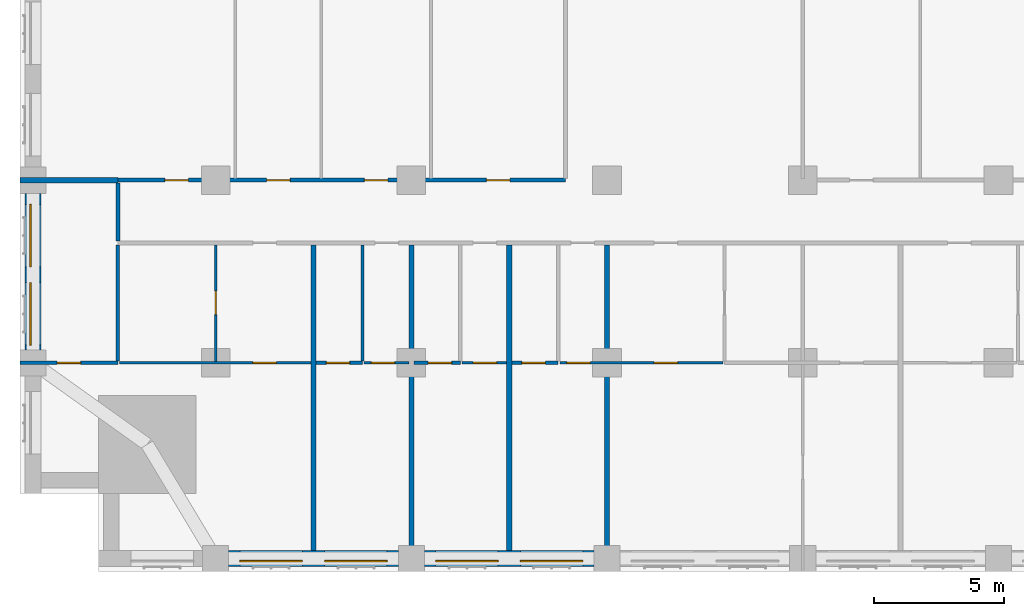
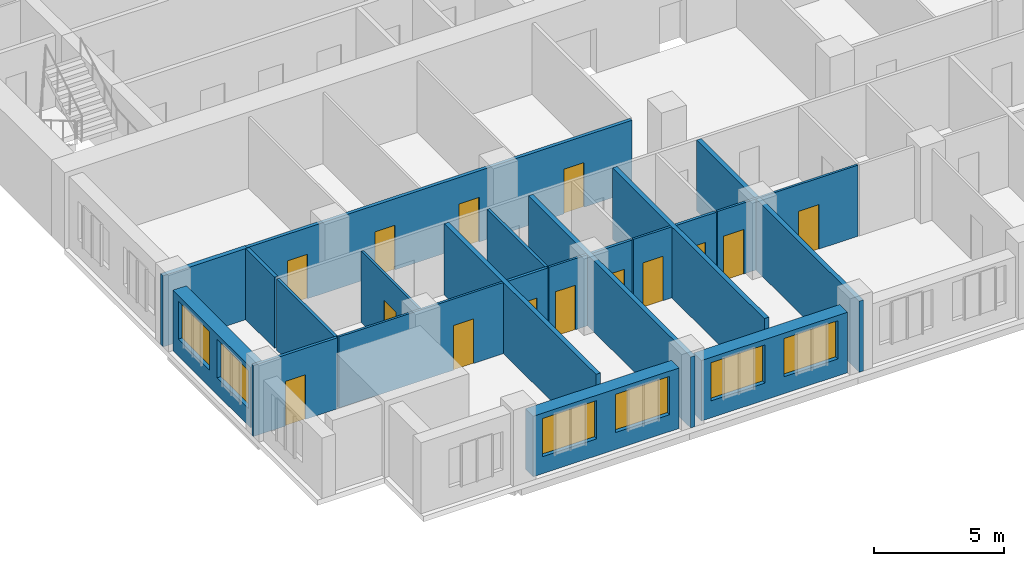
# One storey, part 4 of 15: 21 walls, 14 doors, 6 windows, 20 openings.
"""IFC4 building model written with IfcOpenShell, lengths in metres."""

import ifcopenshell
import ifcopenshell.guid

model = None  # the IFC model being written
_history = None  # IfcOwnerHistory: only IFC2X3 demands one
_inside = {}  # id of a spatial element -> (the spatial element, [elements in it])
_under = {}  # id of a project, library or spatial element -> (it, [spatial elements below it])
_declared = {}  # id of a project -> (the project, [libraries it declares])
_typed = {}  # id of a type object -> (the type object, [elements of that type])
_made_of = {}  # id of a material, layer set ... -> (it, [elements and type objects made of it])


def new_model(schema):
    """Start an empty IFC model of exactly this schema.

    Asked for "IFC4X3", IfcOpenShell would pick the latest addendum, in which some entities
    have other attributes; the version numbers below select the first issue.
    IFC2X3 requires an IfcOwnerHistory on every rooted entity: one is made here for all.
    """
    global model, _history
    if schema == "IFC4X3":
        model = ifcopenshell.file(schema_version=(4, 3, 0, 0))
    else:
        model = ifcopenshell.file(schema=schema)
    _inside.clear()
    _under.clear()
    _declared.clear()
    _typed.clear()
    _made_of.clear()
    _history = None
    if model.schema == "IFC2X3":
        org = make("IfcOrganization", Name="unknown")
        user = make(
            "IfcPersonAndOrganization",
            ThePerson=make("IfcPerson", FamilyName="unknown"),
            TheOrganization=org,
        )
        app = make(
            "IfcApplication",
            ApplicationDeveloper=org,
            Version="unknown",
            ApplicationFullName="unknown",
            ApplicationIdentifier="unknown",
        )
        _history = make(
            "IfcOwnerHistory",
            OwningUser=user,
            OwningApplication=app,
            ChangeAction="ADDED",
            CreationDate=0,
        )
    return model


def make(cls, **values):
    """One entity of the class cls with the attributes given. An attribute that is None is left unset."""
    return model.create_entity(
        cls, **{name: value for name, value in values.items() if value is not None}
    )


def rooted(cls, **values):
    """An entity with a GlobalId (a new one), such as an element, a storey or a relation."""
    return make(cls, GlobalId=ifcopenshell.guid.new(), OwnerHistory=_history, **values)


def si_unit(unit_type, name, prefix=None):
    """IfcSIUnit, for example si_unit("LENGTHUNIT", "METRE", prefix="MILLI")."""
    return make("IfcSIUnit", UnitType=unit_type, Prefix=prefix, Name=name)


def assignment(units):
    """IfcUnitAssignment: the units of a project."""
    return None if units is None else make("IfcUnitAssignment", Units=units)


def point(xyz):
    """IfcCartesianPoint."""
    return None if xyz is None else make("IfcCartesianPoint", Coordinates=xyz)


def direction(xyz):
    """IfcDirection."""
    return None if xyz is None else make("IfcDirection", DirectionRatios=xyz)


def frame(location, z_axis=None, x_axis=None):
    """IfcAxis2Placement3D, a coordinate frame: its origin and axes. An axis left out is left unset."""
    return make(
        "IfcAxis2Placement3D",
        Location=point(location),
        Axis=direction(z_axis),
        RefDirection=direction(x_axis),
    )


def frame_2d(location, x_axis=None):
    """IfcAxis2Placement2D, a coordinate frame in the plane: its origin and x axis."""
    return make(
        "IfcAxis2Placement2D", Location=point(location), RefDirection=direction(x_axis)
    )


def origin():
    """The frame at (0, 0, 0) with its axes left unset."""
    return frame((0.0, 0.0, 0.0))


def place(relative_to, where):
    """IfcLocalPlacement: puts the frame where relative to a parent placement (None: the world)."""
    return make(
        "IfcLocalPlacement", PlacementRelTo=relative_to, RelativePlacement=where
    )


def context(
    kind, dimensions, precision=None, world=None, true_north=None, identifier=None
):
    """IfcGeometricRepresentationContext, for example the 3D "Model" context."""
    return make(
        "IfcGeometricRepresentationContext",
        ContextIdentifier=identifier,
        ContextType=kind,
        CoordinateSpaceDimension=dimensions,
        Precision=precision,
        WorldCoordinateSystem=world,
        TrueNorth=true_north,
    )


def subcontext(parent, identifier, kind, view, scale=None):
    """IfcGeometricRepresentationSubContext, for example "Body" below "Model"."""
    return make(
        "IfcGeometricRepresentationSubContext",
        ContextIdentifier=identifier,
        ContextType=kind,
        ParentContext=parent,
        TargetScale=scale,
        TargetView=view,
    )


def project(units=None, contexts=None):
    """IfcProject with its units and contexts."""
    return rooted(
        "IfcProject",
        Name="project",
        RepresentationContexts=contexts,
        UnitsInContext=assignment(units),
    )


def spatial(cls, under=None, at=None, **own):
    """A site, building, storey or space (cls), placed at a placement, below another one or the project."""
    s = rooted(cls, ObjectPlacement=at, **own)
    if under is not None:
        _under.setdefault(under.id(), (under, []))[1].append(s)
    return s


def profile(cls, at=None, kind="AREA", **sizes):
    """A parametric profile (cls). Its sizes go by their IFC names, for example OverallWidth=200.0."""
    return make(cls, ProfileType=kind, Position=at, **sizes)


def rectangle(**sizes):
    """IfcRectangleProfileDef."""
    return profile("IfcRectangleProfileDef", **sizes)


def extrude(swept, where, along, depth):
    """IfcExtrudedAreaSolid: the profile swept, set in the frame where, extruded along a direction by depth."""
    return make(
        "IfcExtrudedAreaSolid",
        SweptArea=swept,
        Position=where,
        ExtrudedDirection=direction(along),
        Depth=depth,
    )


def shape(context_of_items, identifier, shape_type, items):
    """IfcShapeRepresentation: the items that make up one representation, for example the "Body"."""
    return make(
        "IfcShapeRepresentation",
        ContextOfItems=context_of_items,
        RepresentationIdentifier=identifier,
        RepresentationType=shape_type,
        Items=items,
    )


def material(Name=None, Category=None):
    """IfcMaterial."""
    return make("IfcMaterial", Name=Name, Category=Category)


def layer(
    of_material, thickness, ventilated=None, Name=None, Category=None, Priority=None
):
    """IfcMaterialLayer: one layer of a wall or slab, of a material (None: an air gap)."""
    return make(
        "IfcMaterialLayer",
        Material=of_material,
        LayerThickness=thickness,
        IsVentilated=ventilated,
        Name=Name,
        Category=Category,
        Priority=Priority,
    )


def layer_set(layers, Name=None):
    """IfcMaterialLayerSet."""
    return make("IfcMaterialLayerSet", MaterialLayers=layers, LayerSetName=Name)


def made_of(thing, what):
    """Note that an element or type object is made of a material, layer set ...; save() writes the relation."""
    if what is not None:
        _made_of.setdefault(what.id(), (what, []))[1].append(thing)
    return thing


def type_object(cls, material=None, **own):
    """A type object (cls), such as IfcWallType, which elements share."""
    return made_of(rooted(cls, **own), material)


def element(
    cls,
    number,
    at=None,
    inside=None,
    cuts=None,
    type_object=None,
    material=None,
    context=None,
    identifier="Body",
    shape_type=None,
    held_by="IfcProductDefinitionShape",
    body=None,
    shapes=None,
    **own,
):
    """One element of the class cls, such as IfcWall. Its Tag is "e" and its number.

    at: its placement. inside: the storey or other place that contains it. cuts: it is an
    opening in that element (IfcRelVoidsElement). A single representation is given by context,
    identifier, shape_type and body (its items); several are given by shapes. held_by: the class
    of the entity that holds the representations. save() writes the other relations.
    """
    e = rooted(cls, Tag="e%d" % number, ObjectPlacement=at, **own)
    if body is not None:
        shapes = [shape(context, identifier, shape_type, body)]
    if shapes is not None:
        e.Representation = make(held_by, Representations=shapes)
    if inside is not None:
        _inside.setdefault(inside.id(), (inside, []))[1].append(e)
    if cuts is not None:
        rooted(
            "IfcRelVoidsElement", RelatingBuildingElement=cuts, RelatedOpeningElement=e
        )
    if type_object is not None:
        _typed.setdefault(type_object.id(), (type_object, []))[1].append(e)
    return made_of(e, material)


def fill(opening, filler):
    """IfcRelFillsElement: the door or window that sits in an opening."""
    return rooted(
        "IfcRelFillsElement",
        RelatingOpeningElement=opening,
        RelatedBuildingElement=filler,
    )


def aggregate(whole, parts):
    """IfcRelAggregates: a whole, such as a stair, and the parts it consists of."""
    return rooted("IfcRelAggregates", RelatingObject=whole, RelatedObjects=parts)


def save(model, path):
    """Write the relations noted so far, then the file.

    IfcRelAggregates (storeys below a building ...), IfcRelContainedInSpatialStructure (elements
    in a storey), IfcRelDefinesByType, IfcRelAssociatesMaterial and IfcRelDeclares: one each for
    every whole, place, type object, material and project.
    """
    for whole, parts in _under.values():
        aggregate(whole, parts)
    for where, things in _inside.values():
        rooted(
            "IfcRelContainedInSpatialStructure",
            RelatedElements=things,
            RelatingStructure=where,
        )
    for kind, things in _typed.values():
        rooted("IfcRelDefinesByType", RelatedObjects=things, RelatingType=kind)
    for what, things in _made_of.values():
        rooted("IfcRelAssociatesMaterial", RelatedObjects=things, RelatingMaterial=what)
    for by, libraries in _declared.values():
        rooted("IfcRelDeclares", RelatingContext=by, RelatedDefinitions=libraries)
    model.write(path)


model = new_model("IFC4")

# Units and contexts
model_context = context("Model", 3, precision=1e-05, world=origin(), true_north=direction((0.0, 1.0)))
body_context = subcontext(model_context, "Body", "Model", "MODEL_VIEW")
ifc_project = project(units=[si_unit("LENGTHUNIT", "METRE"), si_unit("AREAUNIT", "SQUARE_METRE"), si_unit("VOLUMEUNIT", "CUBIC_METRE"), si_unit("PLANEANGLEUNIT", "RADIAN"), si_unit("MASSUNIT", "GRAM", prefix="KILO")], contexts=[model_context])

# Site, building, storey
site_placement = place(None, origin())
site = spatial("IfcSite", under=ifc_project, at=site_placement, CompositionType="ELEMENT")
building_placement = place(site_placement, origin())
building = spatial("IfcBuilding", under=site, at=building_placement, Name="Tamorin Gate", CompositionType="ELEMENT")
storey_placement = place(building_placement, frame((0.0, 0.0, 111.5)))
storey = spatial("IfcBuildingStorey", under=building, at=storey_placement, Name="L27", CompositionType="ELEMENT", Elevation=111.5)

# Wall, openings, windows
ifc_material_1 = material(Name="Precast concrete C40/50", Category="concrete")
ifc_layer_1 = layer(ifc_material_1, 0.60009765625)
ifc_layer_set_1 = layer_set([ifc_layer_1], Name="Precast concrete C40/50")
wall_type_1 = type_object("IfcWallType", Name="Board-marked concrete facade panel 600", PredefinedType="SOLIDWALL", material=ifc_layer_set_1)
wall_1_placement = place(storey_placement, frame((38.0, 38.0, 0.0), z_axis=(0.0, 0.0, 1.0), x_axis=(1.0, 0.0, 0.0)))
wall_1 = element("IfcWall", 1, at=wall_1_placement, inside=storey, type_object=wall_type_1, Name="Facade panel", PredefinedType="SOLIDWALL", context=body_context, shape_type="SweptSolid", body=[
    extrude(rectangle(XDim=6.5, YDim=0.60009765625, at=frame_2d((3.25, 0.0))), origin(), (0.0, 0.0, 1.0), 2.85009765625),
])
opening_1_placement = place(wall_1_placement, frame((0.425048828125, 0.0, 0.800048828125)))
opening_1 = element("IfcOpeningElement", 2, at=opening_1_placement, cuts=wall_1, Name="Opening WN1", PredefinedType="OPENING", context=body_context, shape_type="SweptSolid", body=[
    extrude(rectangle(XDim=2.39990234375, YDim=1.800048828125, at=frame_2d((1.199951171875, 0.89990234375))), frame((0.0, 0.31005859375, 0.0), z_axis=(0.0, -1.0, 0.0), x_axis=(1.0, 0.0, 0.0)), (0.0, 0.0, 1.0), 0.6201171875),
])
opening_2_placement = place(wall_1_placement, frame((3.675048828125, 0.0, 0.800048828125)))
opening_2 = element("IfcOpeningElement", 3, at=opening_2_placement, cuts=wall_1, Name="Opening WN1", PredefinedType="OPENING", context=body_context, shape_type="SweptSolid", body=[
    extrude(rectangle(XDim=2.39990234375, YDim=1.800048828125, at=frame_2d((1.199951171875, 0.89990234375))), frame((0.0, 0.31005859375, 0.0), z_axis=(0.0, -1.0, 0.0), x_axis=(1.0, 0.0, 0.0)), (0.0, 0.0, 1.0), 0.6201171875),
])
ifc_material_2 = material(Name="Clear glass in aluminium frame", Category="aluminium")
window_type = type_object("IfcWindowType", Name="Deep-set window 2400x1800", PartitioningType="SINGLE_PANEL", PredefinedType="WINDOW", material=ifc_material_2)
window_1_placement = place(opening_1_placement, origin())
window_1 = element("IfcWindow", 4, at=window_1_placement, inside=storey, type_object=window_type, Name="Deep-set window", OverallHeight=1.800048828125, OverallWidth=2.39990234375, PartitioningType="SINGLE_PANEL", PredefinedType="WINDOW", context=body_context, shape_type="SweptSolid", body=[
    extrude(rectangle(XDim=2.39990234375, YDim=1.800048828125, at=frame_2d((1.199951171875, 0.89990234375))), frame((0.0, -0.070068359375, 0.0), z_axis=(0.0, -1.0, 0.0), x_axis=(1.0, 0.0, 0.0)), (0.0, 0.0, 1.0), 0.06005859375),
])
fill(opening_1, window_1)
window_2_placement = place(opening_2_placement, origin())
window_2 = element("IfcWindow", 5, at=window_2_placement, inside=storey, type_object=window_type, Name="Deep-set window", OverallHeight=1.800048828125, OverallWidth=2.39990234375, PartitioningType="SINGLE_PANEL", PredefinedType="WINDOW", context=body_context, shape_type="SweptSolid", body=[
    extrude(rectangle(XDim=2.39990234375, YDim=1.800048828125, at=frame_2d((1.199951171875, 0.89990234375))), frame((0.0, -0.070068359375, 0.0), z_axis=(0.0, -1.0, 0.0), x_axis=(1.0, 0.0, 0.0)), (0.0, 0.0, 1.0), 0.06005859375),
])
fill(opening_2, window_2)

wall_2_placement = place(storey_placement, frame((45.5, 38.0, 0.0), z_axis=(0.0, 0.0, 1.0), x_axis=(1.0, 0.0, 0.0)))
wall_2 = element("IfcWall", 6, at=wall_2_placement, inside=storey, type_object=wall_type_1, Name="Facade panel", PredefinedType="SOLIDWALL", context=body_context, shape_type="SweptSolid", body=[
    extrude(rectangle(XDim=6.5, YDim=0.60009765625, at=frame_2d((3.25, 0.0))), origin(), (0.0, 0.0, 1.0), 2.85009765625),
])
opening_3_placement = place(wall_2_placement, frame((0.425048828125, 0.0, 0.800048828125)))
opening_3 = element("IfcOpeningElement", 7, at=opening_3_placement, cuts=wall_2, Name="Opening WN1", PredefinedType="OPENING", context=body_context, shape_type="SweptSolid", body=[
    extrude(rectangle(XDim=2.39990234375, YDim=1.800048828125, at=frame_2d((1.199951171875, 0.89990234375))), frame((0.0, 0.31005859375, 0.0), z_axis=(0.0, -1.0, 0.0), x_axis=(1.0, 0.0, 0.0)), (0.0, 0.0, 1.0), 0.6201171875),
])
opening_4_placement = place(wall_2_placement, frame((3.675048828125, 0.0, 0.800048828125)))
opening_4 = element("IfcOpeningElement", 8, at=opening_4_placement, cuts=wall_2, Name="Opening WN1", PredefinedType="OPENING", context=body_context, shape_type="SweptSolid", body=[
    extrude(rectangle(XDim=2.39990234375, YDim=1.800048828125, at=frame_2d((1.199951171875, 0.89990234375))), frame((0.0, 0.31005859375, 0.0), z_axis=(0.0, -1.0, 0.0), x_axis=(1.0, 0.0, 0.0)), (0.0, 0.0, 1.0), 0.6201171875),
])
window_3_placement = place(opening_3_placement, origin())
window_3 = element("IfcWindow", 9, at=window_3_placement, inside=storey, type_object=window_type, Name="Deep-set window", OverallHeight=1.800048828125, OverallWidth=2.39990234375, PartitioningType="SINGLE_PANEL", PredefinedType="WINDOW", context=body_context, shape_type="SweptSolid", body=[
    extrude(rectangle(XDim=2.39990234375, YDim=1.800048828125, at=frame_2d((1.199951171875, 0.89990234375))), frame((0.0, -0.070068359375, 0.0), z_axis=(0.0, -1.0, 0.0), x_axis=(1.0, 0.0, 0.0)), (0.0, 0.0, 1.0), 0.06005859375),
])
fill(opening_3, window_3)
window_4_placement = place(opening_4_placement, origin())
window_4 = element("IfcWindow", 10, at=window_4_placement, inside=storey, type_object=window_type, Name="Deep-set window", OverallHeight=1.800048828125, OverallWidth=2.39990234375, PartitioningType="SINGLE_PANEL", PredefinedType="WINDOW", context=body_context, shape_type="SweptSolid", body=[
    extrude(rectangle(XDim=2.39990234375, YDim=1.800048828125, at=frame_2d((1.199951171875, 0.89990234375))), frame((0.0, -0.070068359375, 0.0), z_axis=(0.0, -1.0, 0.0), x_axis=(1.0, 0.0, 0.0)), (0.0, 0.0, 1.0), 0.06005859375),
])
fill(opening_4, window_4)

wall_3_placement = place(storey_placement, frame((30.5, 52.0, 0.0), z_axis=(0.0, 0.0, 1.0), x_axis=(0.0, -1.0, 0.0)))
wall_3 = element("IfcWall", 11, at=wall_3_placement, inside=storey, type_object=wall_type_1, Name="Facade panel", PredefinedType="SOLIDWALL", context=body_context, shape_type="SweptSolid", body=[
    extrude(rectangle(XDim=6.0, YDim=0.60009765625, at=frame_2d((3.0, 0.0))), origin(), (0.0, 0.0, 1.0), 2.85009765625),
])
opening_5_placement = place(wall_3_placement, frame((3.425048828125, 0.0, 0.800048828125)))
opening_5 = element("IfcOpeningElement", 12, at=opening_5_placement, cuts=wall_3, Name="Opening WN1", PredefinedType="OPENING", context=body_context, shape_type="SweptSolid", body=[
    extrude(rectangle(XDim=2.39990234375, YDim=1.800048828125, at=frame_2d((1.199951171875, 0.89990234375))), frame((0.0, 0.31005859375, 0.0), z_axis=(0.0, -1.0, 0.0), x_axis=(1.0, 0.0, 0.0)), (0.0, 0.0, 1.0), 0.6201171875),
])
opening_6_placement = place(wall_3_placement, frame((0.425048828125, 0.0, 0.800048828125)))
opening_6 = element("IfcOpeningElement", 13, at=opening_6_placement, cuts=wall_3, Name="Opening WN1", PredefinedType="OPENING", context=body_context, shape_type="SweptSolid", body=[
    extrude(rectangle(XDim=2.39990234375, YDim=1.800048828125, at=frame_2d((1.199951171875, 0.89990234375))), frame((0.0, 0.31005859375, 0.0), z_axis=(0.0, -1.0, 0.0), x_axis=(1.0, 0.0, 0.0)), (0.0, 0.0, 1.0), 0.6201171875),
])
window_5_placement = place(opening_5_placement, origin())
window_5 = element("IfcWindow", 14, at=window_5_placement, inside=storey, type_object=window_type, Name="Deep-set window", OverallHeight=1.800048828125, OverallWidth=2.39990234375, PartitioningType="SINGLE_PANEL", PredefinedType="WINDOW", context=body_context, shape_type="SweptSolid", body=[
    extrude(rectangle(XDim=2.39990234375, YDim=1.800048828125, at=frame_2d((1.199951171875, 0.89990234375))), frame((0.0, -0.070068359375, 0.0), z_axis=(0.0, -1.0, 0.0), x_axis=(1.0, 0.0, 0.0)), (0.0, 0.0, 1.0), 0.06005859375),
])
fill(opening_5, window_5)
window_6_placement = place(opening_6_placement, origin())
window_6 = element("IfcWindow", 15, at=window_6_placement, inside=storey, type_object=window_type, Name="Deep-set window", OverallHeight=1.800048828125, OverallWidth=2.39990234375, PartitioningType="SINGLE_PANEL", PredefinedType="WINDOW", context=body_context, shape_type="SweptSolid", body=[
    extrude(rectangle(XDim=2.39990234375, YDim=1.800048828125, at=frame_2d((1.199951171875, 0.89990234375))), frame((0.0, -0.070068359375, 0.0), z_axis=(0.0, -1.0, 0.0), x_axis=(1.0, 0.0, 0.0)), (0.0, 0.0, 1.0), 0.06005859375),
])
fill(opening_6, window_6)

# Wall, openings, doors
ifc_material_3 = material(Name="Gypsum board partition")
ifc_layer_2 = layer(ifc_material_3, 0.14990234375)
ifc_layer_set_2 = layer_set([ifc_layer_2], Name="Corridor wall 150")
wall_type_2 = type_object("IfcWallType", Name="Corridor wall 150", PredefinedType="PARTITIONING", material=ifc_layer_set_2)
wall_4_placement = place(storey_placement, frame((33.75, 52.5, 0.0), z_axis=(0.0, 0.0, 1.0), x_axis=(1.0, 0.0, 0.0)))
wall_4 = element("IfcWall", 16, at=wall_4_placement, inside=storey, type_object=wall_type_2, Name="Corridor wall 150", PredefinedType="PARTITIONING", context=body_context, shape_type="SweptSolid", body=[
    extrude(rectangle(XDim=17.14990234375, YDim=0.14990234375, at=frame_2d((8.574951171875, 0.0))), origin(), (0.0, 0.0, 1.0), 3.35009765625),
])
opening_7_placement = place(wall_4_placement, frame((1.800048828125, 0.0, 0.0)))
opening_7 = element("IfcOpeningElement", 17, at=opening_7_placement, cuts=wall_4, Name="Opening DH6086", PredefinedType="OPENING", context=body_context, shape_type="SweptSolid", body=[
    extrude(rectangle(XDim=0.89990234375, YDim=2.10009765625, at=frame_2d((0.449951171875, 1.050048828125))), frame((0.0, 0.0849609375, 0.0), z_axis=(0.0, -1.0, 0.0), x_axis=(1.0, 0.0, 0.0)), (0.0, 0.0, 1.0), 0.169921875),
])
opening_8_placement = place(wall_4_placement, frame((5.699951171875, 0.0, 0.0)))
opening_8 = element("IfcOpeningElement", 18, at=opening_8_placement, cuts=wall_4, Name="Opening DH6087", PredefinedType="OPENING", context=body_context, shape_type="SweptSolid", body=[
    extrude(rectangle(XDim=0.89990234375, YDim=2.10009765625, at=frame_2d((0.449951171875, 1.050048828125))), frame((0.0, 0.0849609375, 0.0), z_axis=(0.0, -1.0, 0.0), x_axis=(1.0, 0.0, 0.0)), (0.0, 0.0, 1.0), 0.169921875),
])
opening_9_placement = place(wall_4_placement, frame((9.449951171875, 0.0, 0.0)))
opening_9 = element("IfcOpeningElement", 19, at=opening_9_placement, cuts=wall_4, Name="Opening DH6088", PredefinedType="OPENING", context=body_context, shape_type="SweptSolid", body=[
    extrude(rectangle(XDim=0.89990234375, YDim=2.10009765625, at=frame_2d((0.449951171875, 1.050048828125))), frame((0.0, 0.0849609375, 0.0), z_axis=(0.0, -1.0, 0.0), x_axis=(1.0, 0.0, 0.0)), (0.0, 0.0, 1.0), 0.169921875),
])
opening_10_placement = place(wall_4_placement, frame((14.125, 0.0, 0.0)))
opening_10 = element("IfcOpeningElement", 20, at=opening_10_placement, cuts=wall_4, Name="Opening DH6089", PredefinedType="OPENING", context=body_context, shape_type="SweptSolid", body=[
    extrude(rectangle(XDim=0.89990234375, YDim=2.10009765625, at=frame_2d((0.449951171875, 1.050048828125))), frame((0.0, 0.0849609375, 0.0), z_axis=(0.0, -1.0, 0.0), x_axis=(1.0, 0.0, 0.0)), (0.0, 0.0, 1.0), 0.169921875),
])
ifc_material_4 = material(Name="Timber door leaf", Category="wood")
door_type_1 = type_object("IfcDoorType", Name="Door 900 x 2100 FD30S", OperationType="NOTDEFINED", PredefinedType="DOOR", material=ifc_material_4)
door_1_placement = place(opening_7_placement, origin())
door_1 = element("IfcDoor", 21, at=door_1_placement, inside=storey, type_object=door_type_1, Name="Door DH6086", OperationType="SINGLE_SWING_LEFT", OverallHeight=2.10009765625, OverallWidth=0.89990234375, PredefinedType="DOOR", context=body_context, shape_type="SweptSolid", body=[
    extrude(rectangle(XDim=0.89990234375, YDim=2.10009765625, at=frame_2d((0.449951171875, 1.050048828125))), frame((0.0, 0.02490234375, 0.0), z_axis=(0.0, -1.0, 0.0), x_axis=(1.0, 0.0, 0.0)), (0.0, 0.0, 1.0), 0.050048828125),
])
fill(opening_7, door_1)
door_2_placement = place(opening_8_placement, origin())
door_2 = element("IfcDoor", 22, at=door_2_placement, inside=storey, type_object=door_type_1, Name="Door DH6087", OperationType="SINGLE_SWING_LEFT", OverallHeight=2.10009765625, OverallWidth=0.89990234375, PredefinedType="DOOR", context=body_context, shape_type="SweptSolid", body=[
    extrude(rectangle(XDim=0.89990234375, YDim=2.10009765625, at=frame_2d((0.449951171875, 1.050048828125))), frame((0.0, 0.02490234375, 0.0), z_axis=(0.0, -1.0, 0.0), x_axis=(1.0, 0.0, 0.0)), (0.0, 0.0, 1.0), 0.050048828125),
])
fill(opening_8, door_2)
door_3_placement = place(opening_9_placement, origin())
door_3 = element("IfcDoor", 23, at=door_3_placement, inside=storey, type_object=door_type_1, Name="Door DH6088", OperationType="SINGLE_SWING_LEFT", OverallHeight=2.10009765625, OverallWidth=0.89990234375, PredefinedType="DOOR", context=body_context, shape_type="SweptSolid", body=[
    extrude(rectangle(XDim=0.89990234375, YDim=2.10009765625, at=frame_2d((0.449951171875, 1.050048828125))), frame((0.0, 0.02490234375, 0.0), z_axis=(0.0, -1.0, 0.0), x_axis=(1.0, 0.0, 0.0)), (0.0, 0.0, 1.0), 0.050048828125),
])
fill(opening_9, door_3)
door_4_placement = place(opening_10_placement, origin())
door_4 = element("IfcDoor", 24, at=door_4_placement, inside=storey, type_object=door_type_1, Name="Door DH6089", OperationType="SINGLE_SWING_LEFT", OverallHeight=2.10009765625, OverallWidth=0.89990234375, PredefinedType="DOOR", context=body_context, shape_type="SweptSolid", body=[
    extrude(rectangle(XDim=0.89990234375, YDim=2.10009765625, at=frame_2d((0.449951171875, 1.050048828125))), frame((0.0, 0.02490234375, 0.0), z_axis=(0.0, -1.0, 0.0), x_axis=(1.0, 0.0, 0.0)), (0.0, 0.0, 1.0), 0.050048828125),
])
fill(opening_10, door_4)

# Walls
wall_5_placement = place(storey_placement, frame((33.75, 50.175048828125, 0.0), z_axis=(0.0, 0.0, 1.0), x_axis=(0.0, 1.0, 0.0)))
element("IfcWall", 25, at=wall_5_placement, inside=storey, type_object=wall_type_2, Name="Corridor wall 150", PredefinedType="PARTITIONING", context=body_context, shape_type="SweptSolid", body=[
    extrude(rectangle(XDim=2.224853515625, YDim=0.14990234375, at=frame_2d((1.1123046875, 0.0))), origin(), (0.0, 0.0, 1.0), 3.35009765625),
])
ifc_layer_3 = layer(ifc_material_3, 0.199951171875)
ifc_layer_set_3 = layer_set([ifc_layer_3], Name="Demising wall 200")
wall_type_3 = type_object("IfcWallType", Name="Demising wall 200", PredefinedType="PARTITIONING", material=ifc_layer_set_3)
wall_6_placement = place(storey_placement, frame((30.0, 52.5, 0.0), z_axis=(0.0, 0.0, 1.0), x_axis=(1.0, 0.0, 0.0)))
element("IfcWall", 26, at=wall_6_placement, inside=storey, type_object=wall_type_3, Name="Demising wall 200", PredefinedType="PARTITIONING", context=body_context, shape_type="SweptSolid", body=[
    extrude(rectangle(XDim=3.75, YDim=0.199951171875, at=frame_2d((1.875, 0.0))), origin(), (0.0, 0.0, 1.0), 3.35009765625),
])
wall_7_placement = place(storey_placement, frame((41.25, 38.31005859375, 0.0), z_axis=(0.0, 0.0, 1.0), x_axis=(0.0, 1.0, 0.0)))
element("IfcWall", 27, at=wall_7_placement, inside=storey, type_object=wall_type_3, Name="Demising wall 200", PredefinedType="PARTITIONING", context=body_context, shape_type="SweptSolid", body=[
    extrude(rectangle(XDim=11.71484375, YDim=0.199951171875, at=frame_2d((5.857421875, 0.0))), origin(), (0.0, 0.0, 1.0), 3.35009765625),
])
wall_8_placement = place(storey_placement, frame((45.0, 37.5, 0.0), z_axis=(0.0, 0.0, 1.0), x_axis=(0.0, 1.0, 0.0)))
element("IfcWall", 28, at=wall_8_placement, inside=storey, type_object=wall_type_3, Name="Demising wall 200", PredefinedType="PARTITIONING", context=body_context, shape_type="SweptSolid", body=[
    extrude(rectangle(XDim=12.52490234375, YDim=0.199951171875, at=frame_2d((6.262451171875, 0.0))), origin(), (0.0, 0.0, 1.0), 3.35009765625),
])
wall_9_placement = place(storey_placement, frame((48.75, 38.31005859375, 0.0), z_axis=(0.0, 0.0, 1.0), x_axis=(0.0, 1.0, 0.0)))
element("IfcWall", 29, at=wall_9_placement, inside=storey, type_object=wall_type_3, Name="Demising wall 200", PredefinedType="PARTITIONING", context=body_context, shape_type="SweptSolid", body=[
    extrude(rectangle(XDim=11.71484375, YDim=0.199951171875, at=frame_2d((5.857421875, 0.0))), origin(), (0.0, 0.0, 1.0), 3.35009765625),
])
wall_10_placement = place(storey_placement, frame((52.5, 37.5, 0.0), z_axis=(0.0, 0.0, 1.0), x_axis=(0.0, 1.0, 0.0)))
element("IfcWall", 30, at=wall_10_placement, inside=storey, type_object=wall_type_3, Name="Demising wall 200", PredefinedType="PARTITIONING", context=body_context, shape_type="SweptSolid", body=[
    extrude(rectangle(XDim=12.52490234375, YDim=0.199951171875, at=frame_2d((6.262451171875, 0.0))), origin(), (0.0, 0.0, 1.0), 3.35009765625),
])

# Wall, opening, door
ifc_layer_4 = layer(ifc_material_3, 0.10009765625)
ifc_layer_set_4 = layer_set([ifc_layer_4], Name="Room partition 100")
wall_type_4 = type_object("IfcWallType", Name="Room partition 100", PredefinedType="PARTITIONING", material=ifc_layer_set_4)
wall_11_placement = place(storey_placement, frame((33.8125, 45.5, 0.0), z_axis=(0.0, 0.0, 1.0), x_axis=(1.0, 0.0, 0.0)))
wall_11 = element("IfcWall", 31, at=wall_11_placement, inside=storey, type_object=wall_type_4, Name="Room partition 100", PredefinedType="PARTITIONING", context=body_context, shape_type="SweptSolid", body=[
    extrude(rectangle(XDim=7.33740234375, YDim=0.10009765625, at=frame_2d((3.668701171875, 0.0))), origin(), (0.0, 0.0, 1.0), 3.35009765625),
])
opening_11_placement = place(wall_11_placement, frame((5.112548828125, 0.0, 0.0)))
opening_11 = element("IfcOpeningElement", 32, at=opening_11_placement, cuts=wall_11, Name="Opening DH6004", PredefinedType="OPENING", context=body_context, shape_type="SweptSolid", body=[
    extrude(rectangle(XDim=0.89990234375, YDim=2.10009765625, at=frame_2d((0.449951171875, 1.050048828125))), frame((0.0, 0.06005859375, 0.0), z_axis=(0.0, -1.0, 0.0), x_axis=(1.0, 0.0, 0.0)), (0.0, 0.0, 1.0), 0.1201171875),
])
door_type_2 = type_object("IfcDoorType", Name="Door 900 x 2100", OperationType="NOTDEFINED", PredefinedType="DOOR", material=ifc_material_4)
door_5_placement = place(opening_11_placement, origin())
door_5 = element("IfcDoor", 33, at=door_5_placement, inside=storey, type_object=door_type_2, Name="Door DH6004", OperationType="SINGLE_SWING_LEFT", OverallHeight=2.10009765625, OverallWidth=0.89990234375, PredefinedType="DOOR", context=body_context, shape_type="SweptSolid", body=[
    extrude(rectangle(XDim=0.89990234375, YDim=2.10009765625, at=frame_2d((0.449951171875, 1.050048828125))), frame((0.0, 0.02490234375, 0.0), z_axis=(0.0, -1.0, 0.0), x_axis=(1.0, 0.0, 0.0)), (0.0, 0.0, 1.0), 0.050048828125),
])
fill(opening_11, door_5)

wall_12_placement = place(storey_placement, frame((43.1875, 45.5, 0.0), z_axis=(0.0, 0.0, 1.0), x_axis=(1.0, 0.0, 0.0)))
wall_12 = element("IfcWall", 34, at=wall_12_placement, inside=storey, type_object=wall_type_4, Name="Room partition 100", PredefinedType="PARTITIONING", context=body_context, shape_type="SweptSolid", body=[
    extrude(rectangle(XDim=1.71240234375, YDim=0.10009765625, at=frame_2d((0.856201171875, 0.0))), origin(), (0.0, 0.0, 1.0), 3.35009765625),
])
opening_12_placement = place(wall_12_placement, frame((0.27490234375, 0.0, 0.0)))
opening_12 = element("IfcOpeningElement", 35, at=opening_12_placement, cuts=wall_12, Name="Opening DH6007", PredefinedType="OPENING", context=body_context, shape_type="SweptSolid", body=[
    extrude(rectangle(XDim=0.89990234375, YDim=2.10009765625, at=frame_2d((0.449951171875, 1.050048828125))), frame((0.0, 0.06005859375, 0.0), z_axis=(0.0, -1.0, 0.0), x_axis=(1.0, 0.0, 0.0)), (0.0, 0.0, 1.0), 0.1201171875),
])
door_6_placement = place(opening_12_placement, origin())
door_6 = element("IfcDoor", 36, at=door_6_placement, inside=storey, type_object=door_type_2, Name="Door DH6007", OperationType="SINGLE_SWING_LEFT", OverallHeight=2.10009765625, OverallWidth=0.89990234375, PredefinedType="DOOR", context=body_context, shape_type="SweptSolid", body=[
    extrude(rectangle(XDim=0.89990234375, YDim=2.10009765625, at=frame_2d((0.449951171875, 1.050048828125))), frame((0.0, 0.02490234375, 0.0), z_axis=(0.0, -1.0, 0.0), x_axis=(1.0, 0.0, 0.0)), (0.0, 0.0, 1.0), 0.050048828125),
])
fill(opening_12, door_6)

wall_13_placement = place(storey_placement, frame((46.9375, 45.5, 0.0), z_axis=(0.0, 0.0, 1.0), x_axis=(1.0, 0.0, 0.0)))
wall_13 = element("IfcWall", 37, at=wall_13_placement, inside=storey, type_object=wall_type_4, Name="Room partition 100", PredefinedType="PARTITIONING", context=body_context, shape_type="SweptSolid", body=[
    extrude(rectangle(XDim=1.71240234375, YDim=0.10009765625, at=frame_2d((0.856201171875, 0.0))), origin(), (0.0, 0.0, 1.0), 3.35009765625),
])
opening_13_placement = place(wall_13_placement, frame((0.425048828125, 0.0, 0.0)))
opening_13 = element("IfcOpeningElement", 38, at=opening_13_placement, cuts=wall_13, Name="Opening DH6010", PredefinedType="OPENING", context=body_context, shape_type="SweptSolid", body=[
    extrude(rectangle(XDim=0.89990234375, YDim=2.10009765625, at=frame_2d((0.449951171875, 1.050048828125))), frame((0.0, 0.06005859375, 0.0), z_axis=(0.0, -1.0, 0.0), x_axis=(1.0, 0.0, 0.0)), (0.0, 0.0, 1.0), 0.1201171875),
])
door_7_placement = place(opening_13_placement, origin())
door_7 = element("IfcDoor", 39, at=door_7_placement, inside=storey, type_object=door_type_2, Name="Door DH6010", OperationType="SINGLE_SWING_LEFT", OverallHeight=2.10009765625, OverallWidth=0.89990234375, PredefinedType="DOOR", context=body_context, shape_type="SweptSolid", body=[
    extrude(rectangle(XDim=0.89990234375, YDim=2.10009765625, at=frame_2d((0.449951171875, 1.050048828125))), frame((0.0, 0.02490234375, 0.0), z_axis=(0.0, -1.0, 0.0), x_axis=(1.0, 0.0, 0.0)), (0.0, 0.0, 1.0), 0.050048828125),
])
fill(opening_13, door_7)

# Wall, openings, doors
wall_14_placement = place(storey_placement, frame((50.6875, 45.5, 0.0), z_axis=(0.0, 0.0, 1.0), x_axis=(1.0, 0.0, 0.0)))
wall_14 = element("IfcWall", 40, at=wall_14_placement, inside=storey, type_object=wall_type_4, Name="Room partition 100", PredefinedType="PARTITIONING", context=body_context, shape_type="SweptSolid", body=[
    extrude(rectangle(XDim=6.25, YDim=0.10009765625, at=frame_2d((3.125, 0.0))), origin(), (0.0, 0.0, 1.0), 3.35009765625),
])
opening_14_placement = place(wall_14_placement, frame((0.27490234375, 0.0, 0.0)))
opening_14 = element("IfcOpeningElement", 41, at=opening_14_placement, cuts=wall_14, Name="Opening DH6013", PredefinedType="OPENING", context=body_context, shape_type="SweptSolid", body=[
    extrude(rectangle(XDim=0.89990234375, YDim=2.10009765625, at=frame_2d((0.449951171875, 1.050048828125))), frame((0.0, 0.06005859375, 0.0), z_axis=(0.0, -1.0, 0.0), x_axis=(1.0, 0.0, 0.0)), (0.0, 0.0, 1.0), 0.1201171875),
])
opening_15_placement = place(wall_14_placement, frame((3.612548828125, 0.0, 0.0)))
opening_15 = element("IfcOpeningElement", 42, at=opening_15_placement, cuts=wall_14, Name="Opening DH6015", PredefinedType="OPENING", context=body_context, shape_type="SweptSolid", body=[
    extrude(rectangle(XDim=0.89990234375, YDim=2.10009765625, at=frame_2d((0.449951171875, 1.050048828125))), frame((0.0, 0.06005859375, 0.0), z_axis=(0.0, -1.0, 0.0), x_axis=(1.0, 0.0, 0.0)), (0.0, 0.0, 1.0), 0.1201171875),
])
door_8_placement = place(opening_14_placement, origin())
door_8 = element("IfcDoor", 43, at=door_8_placement, inside=storey, type_object=door_type_2, Name="Door DH6013", OperationType="SINGLE_SWING_LEFT", OverallHeight=2.10009765625, OverallWidth=0.89990234375, PredefinedType="DOOR", context=body_context, shape_type="SweptSolid", body=[
    extrude(rectangle(XDim=0.89990234375, YDim=2.10009765625, at=frame_2d((0.449951171875, 1.050048828125))), frame((0.0, 0.02490234375, 0.0), z_axis=(0.0, -1.0, 0.0), x_axis=(1.0, 0.0, 0.0)), (0.0, 0.0, 1.0), 0.050048828125),
])
fill(opening_14, door_8)
door_9_placement = place(opening_15_placement, origin())
door_9 = element("IfcDoor", 44, at=door_9_placement, inside=storey, type_object=door_type_2, Name="Door DH6015", OperationType="SINGLE_SWING_LEFT", OverallHeight=2.10009765625, OverallWidth=0.89990234375, PredefinedType="DOOR", context=body_context, shape_type="SweptSolid", body=[
    extrude(rectangle(XDim=0.89990234375, YDim=2.10009765625, at=frame_2d((0.449951171875, 1.050048828125))), frame((0.0, 0.02490234375, 0.0), z_axis=(0.0, -1.0, 0.0), x_axis=(1.0, 0.0, 0.0)), (0.0, 0.0, 1.0), 0.050048828125),
])
fill(opening_15, door_9)

# Wall, opening, door
wall_15_placement = place(storey_placement, frame((37.5, 45.550048828125, 0.0), z_axis=(0.0, 0.0, 1.0), x_axis=(0.0, 1.0, 0.0)))
wall_15 = element("IfcWall", 45, at=wall_15_placement, inside=storey, type_object=wall_type_4, Name="Room partition 100", PredefinedType="PARTITIONING", context=body_context, shape_type="SweptSolid", body=[
    extrude(rectangle(XDim=4.474853515625, YDim=0.10009765625, at=frame_2d((2.2373046875, 0.0))), origin(), (0.0, 0.0, 1.0), 3.35009765625),
])
opening_16_placement = place(wall_15_placement, frame((1.800048828125, 0.0, 0.0)))
opening_16 = element("IfcOpeningElement", 46, at=opening_16_placement, cuts=wall_15, Name="Opening DH6002", PredefinedType="OPENING", context=body_context, shape_type="SweptSolid", body=[
    extrude(rectangle(XDim=0.89990234375, YDim=2.10009765625, at=frame_2d((0.449951171875, 1.050048828125))), frame((0.0, 0.06005859375, 0.0), z_axis=(0.0, -1.0, 0.0), x_axis=(1.0, 0.0, 0.0)), (0.0, 0.0, 1.0), 0.1201171875),
])
door_10_placement = place(opening_16_placement, origin())
door_10 = element("IfcDoor", 47, at=door_10_placement, inside=storey, type_object=door_type_2, Name="Door DH6002", OperationType="SINGLE_SWING_RIGHT", OverallHeight=2.10009765625, OverallWidth=0.89990234375, PredefinedType="DOOR", context=body_context, shape_type="SweptSolid", body=[
    extrude(rectangle(XDim=0.89990234375, YDim=2.10009765625, at=frame_2d((0.449951171875, 1.050048828125))), frame((0.0, 0.02490234375, 0.0), z_axis=(0.0, -1.0, 0.0), x_axis=(1.0, 0.0, 0.0)), (0.0, 0.0, 1.0), 0.050048828125),
])
fill(opening_16, door_10)

ifc_layer_5 = layer(ifc_material_3, 0.125)
ifc_layer_set_5 = layer_set([ifc_layer_5], Name="Wet wall 125")
wall_type_5 = type_object("IfcWallType", Name="Wet wall 125", PredefinedType="PARTITIONING", material=ifc_layer_set_5)
wall_16_placement = place(storey_placement, frame((30.0, 45.5, 0.0), z_axis=(0.0, 0.0, 1.0), x_axis=(1.0, 0.0, 0.0)))
wall_16 = element("IfcWall", 48, at=wall_16_placement, inside=storey, type_object=wall_type_5, Name="Wet wall 125", PredefinedType="PARTITIONING", context=body_context, shape_type="SweptSolid", body=[
    extrude(rectangle(XDim=3.75, YDim=0.125, at=frame_2d((1.875, 0.0))), origin(), (0.0, 0.0, 1.0), 3.35009765625),
])
opening_17_placement = place(wall_16_placement, frame((1.425048828125, 0.0, 0.0)))
opening_17 = element("IfcOpeningElement", 49, at=opening_17_placement, cuts=wall_16, Name="Opening DH6001", PredefinedType="OPENING", context=body_context, shape_type="SweptSolid", body=[
    extrude(rectangle(XDim=0.89990234375, YDim=2.10009765625, at=frame_2d((0.449951171875, 1.050048828125))), frame((0.0, 0.072509765625, 0.0), z_axis=(0.0, -1.0, 0.0), x_axis=(1.0, 0.0, 0.0)), (0.0, 0.0, 1.0), 0.14501953125),
])
door_11_placement = place(opening_17_placement, origin())
door_11 = element("IfcDoor", 50, at=door_11_placement, inside=storey, type_object=door_type_2, Name="Door DH6001", OperationType="SINGLE_SWING_LEFT", OverallHeight=2.10009765625, OverallWidth=0.89990234375, PredefinedType="DOOR", context=body_context, shape_type="SweptSolid", body=[
    extrude(rectangle(XDim=0.89990234375, YDim=2.10009765625, at=frame_2d((0.449951171875, 1.050048828125))), frame((0.0, 0.02490234375, 0.0), z_axis=(0.0, -1.0, 0.0), x_axis=(1.0, 0.0, 0.0)), (0.0, 0.0, 1.0), 0.050048828125),
])
fill(opening_17, door_11)

wall_17_placement = place(storey_placement, frame((41.35009765625, 45.5, 0.0), z_axis=(0.0, 0.0, 1.0), x_axis=(1.0, 0.0, 0.0)))
wall_17 = element("IfcWall", 51, at=wall_17_placement, inside=storey, type_object=wall_type_5, Name="Wet wall 125", PredefinedType="PARTITIONING", context=body_context, shape_type="SweptSolid", body=[
    extrude(rectangle(XDim=1.77490234375, YDim=0.125, at=frame_2d((0.887451171875, 0.0))), origin(), (0.0, 0.0, 1.0), 3.35009765625),
])
opening_18_placement = place(wall_17_placement, frame((0.387451171875, 0.0, 0.0)))
opening_18 = element("IfcOpeningElement", 52, at=opening_18_placement, cuts=wall_17, Name="Opening DH6005", PredefinedType="OPENING", context=body_context, shape_type="SweptSolid", body=[
    extrude(rectangle(XDim=0.89990234375, YDim=2.10009765625, at=frame_2d((0.449951171875, 1.050048828125))), frame((0.0, 0.072509765625, 0.0), z_axis=(0.0, -1.0, 0.0), x_axis=(1.0, 0.0, 0.0)), (0.0, 0.0, 1.0), 0.14501953125),
])
door_12_placement = place(opening_18_placement, origin())
door_12 = element("IfcDoor", 53, at=door_12_placement, inside=storey, type_object=door_type_2, Name="Door DH6005", OperationType="SINGLE_SWING_LEFT", OverallHeight=2.10009765625, OverallWidth=0.89990234375, PredefinedType="DOOR", context=body_context, shape_type="SweptSolid", body=[
    extrude(rectangle(XDim=0.89990234375, YDim=2.10009765625, at=frame_2d((0.449951171875, 1.050048828125))), frame((0.0, 0.02490234375, 0.0), z_axis=(0.0, -1.0, 0.0), x_axis=(1.0, 0.0, 0.0)), (0.0, 0.0, 1.0), 0.050048828125),
])
fill(opening_18, door_12)

wall_18_placement = place(storey_placement, frame((45.10009765625, 45.5, 0.0), z_axis=(0.0, 0.0, 1.0), x_axis=(1.0, 0.0, 0.0)))
wall_18 = element("IfcWall", 54, at=wall_18_placement, inside=storey, type_object=wall_type_5, Name="Wet wall 125", PredefinedType="PARTITIONING", context=body_context, shape_type="SweptSolid", body=[
    extrude(rectangle(XDim=1.77490234375, YDim=0.125, at=frame_2d((0.887451171875, 0.0))), origin(), (0.0, 0.0, 1.0), 3.35009765625),
])
opening_19_placement = place(wall_18_placement, frame((0.53759765625, 0.0, 0.0)))
opening_19 = element("IfcOpeningElement", 55, at=opening_19_placement, cuts=wall_18, Name="Opening DH6008", PredefinedType="OPENING", context=body_context, shape_type="SweptSolid", body=[
    extrude(rectangle(XDim=0.89990234375, YDim=2.10009765625, at=frame_2d((0.449951171875, 1.050048828125))), frame((0.0, 0.072509765625, 0.0), z_axis=(0.0, -1.0, 0.0), x_axis=(1.0, 0.0, 0.0)), (0.0, 0.0, 1.0), 0.14501953125),
])
door_13_placement = place(opening_19_placement, origin())
door_13 = element("IfcDoor", 56, at=door_13_placement, inside=storey, type_object=door_type_2, Name="Door DH6008", OperationType="SINGLE_SWING_RIGHT", OverallHeight=2.10009765625, OverallWidth=0.89990234375, PredefinedType="DOOR", context=body_context, shape_type="SweptSolid", body=[
    extrude(rectangle(XDim=0.89990234375, YDim=2.10009765625, at=frame_2d((0.449951171875, 1.050048828125))), frame((0.0, 0.02490234375, 0.0), z_axis=(0.0, -1.0, 0.0), x_axis=(1.0, 0.0, 0.0)), (0.0, 0.0, 1.0), 0.050048828125),
])
fill(opening_19, door_13)

wall_19_placement = place(storey_placement, frame((48.85009765625, 45.5, 0.0), z_axis=(0.0, 0.0, 1.0), x_axis=(1.0, 0.0, 0.0)))
wall_19 = element("IfcWall", 57, at=wall_19_placement, inside=storey, type_object=wall_type_5, Name="Wet wall 125", PredefinedType="PARTITIONING", context=body_context, shape_type="SweptSolid", body=[
    extrude(rectangle(XDim=1.77490234375, YDim=0.125, at=frame_2d((0.887451171875, 0.0))), origin(), (0.0, 0.0, 1.0), 3.35009765625),
])
opening_20_placement = place(wall_19_placement, frame((0.387451171875, 0.0, 0.0)))
opening_20 = element("IfcOpeningElement", 58, at=opening_20_placement, cuts=wall_19, Name="Opening DH6011", PredefinedType="OPENING", context=body_context, shape_type="SweptSolid", body=[
    extrude(rectangle(XDim=0.89990234375, YDim=2.10009765625, at=frame_2d((0.449951171875, 1.050048828125))), frame((0.0, 0.072509765625, 0.0), z_axis=(0.0, -1.0, 0.0), x_axis=(1.0, 0.0, 0.0)), (0.0, 0.0, 1.0), 0.14501953125),
])
door_14_placement = place(opening_20_placement, origin())
door_14 = element("IfcDoor", 59, at=door_14_placement, inside=storey, type_object=door_type_2, Name="Door DH6011", OperationType="SINGLE_SWING_LEFT", OverallHeight=2.10009765625, OverallWidth=0.89990234375, PredefinedType="DOOR", context=body_context, shape_type="SweptSolid", body=[
    extrude(rectangle(XDim=0.89990234375, YDim=2.10009765625, at=frame_2d((0.449951171875, 1.050048828125))), frame((0.0, 0.02490234375, 0.0), z_axis=(0.0, -1.0, 0.0), x_axis=(1.0, 0.0, 0.0)), (0.0, 0.0, 1.0), 0.050048828125),
])
fill(opening_20, door_14)

# Walls
for number, where, z_axis, x_axis, name in (
    (60, (33.75, 45.5625, 0.0), (0.0, 0.0, 1.0), (0.0, 1.0, 0.0), "Wet wall 125"),
    (61, (43.125, 45.5625, 0.0), (0.0, 0.0, 1.0), (0.0, 1.0, 0.0), "Wet wall 125"),
):
    element("IfcWall", number, at=place(storey_placement, frame(where, z_axis=z_axis, x_axis=x_axis)), inside=storey, type_object=wall_type_5, Name=name, PredefinedType="PARTITIONING", context=body_context, shape_type="SweptSolid", body=[
        extrude(rectangle(XDim=4.46240234375, YDim=0.125, at=frame_2d((2.231201171875, 0.0))), origin(), (0.0, 0.0, 1.0), 3.35009765625),
    ])

save(model, "model.ifc")
